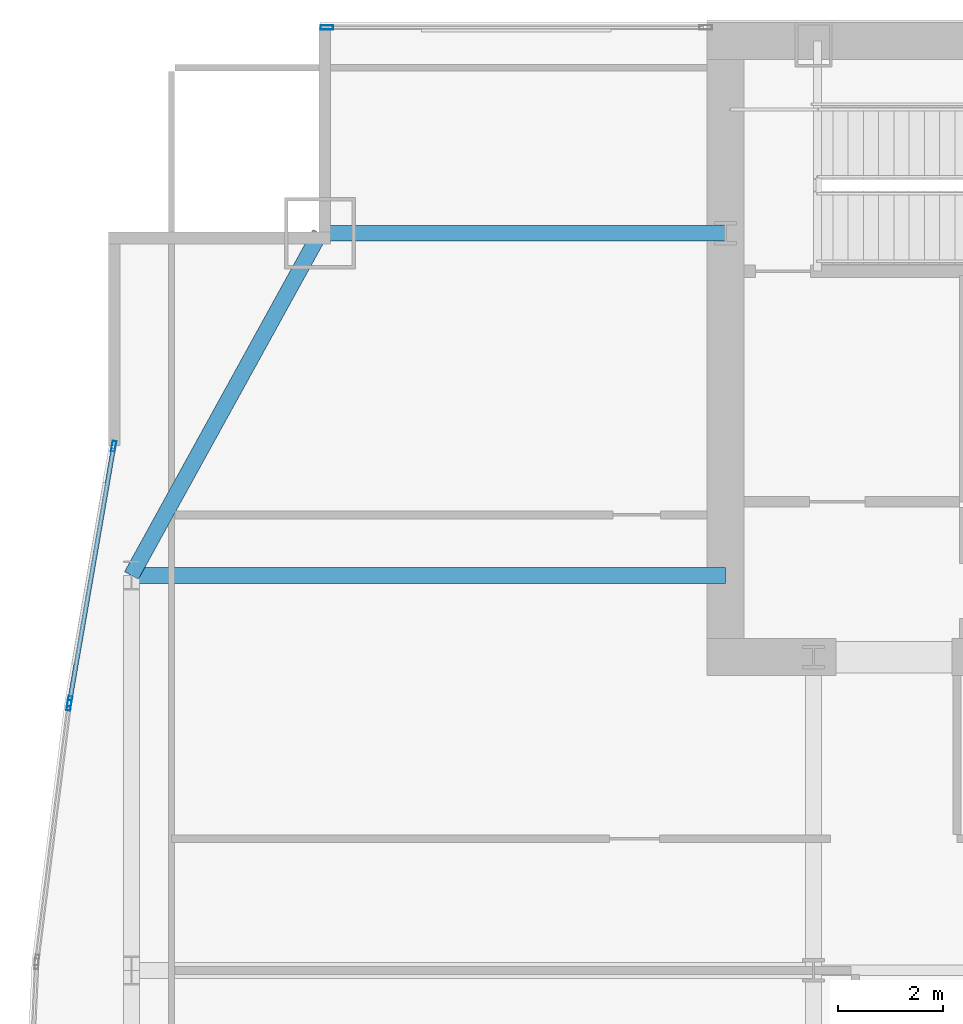
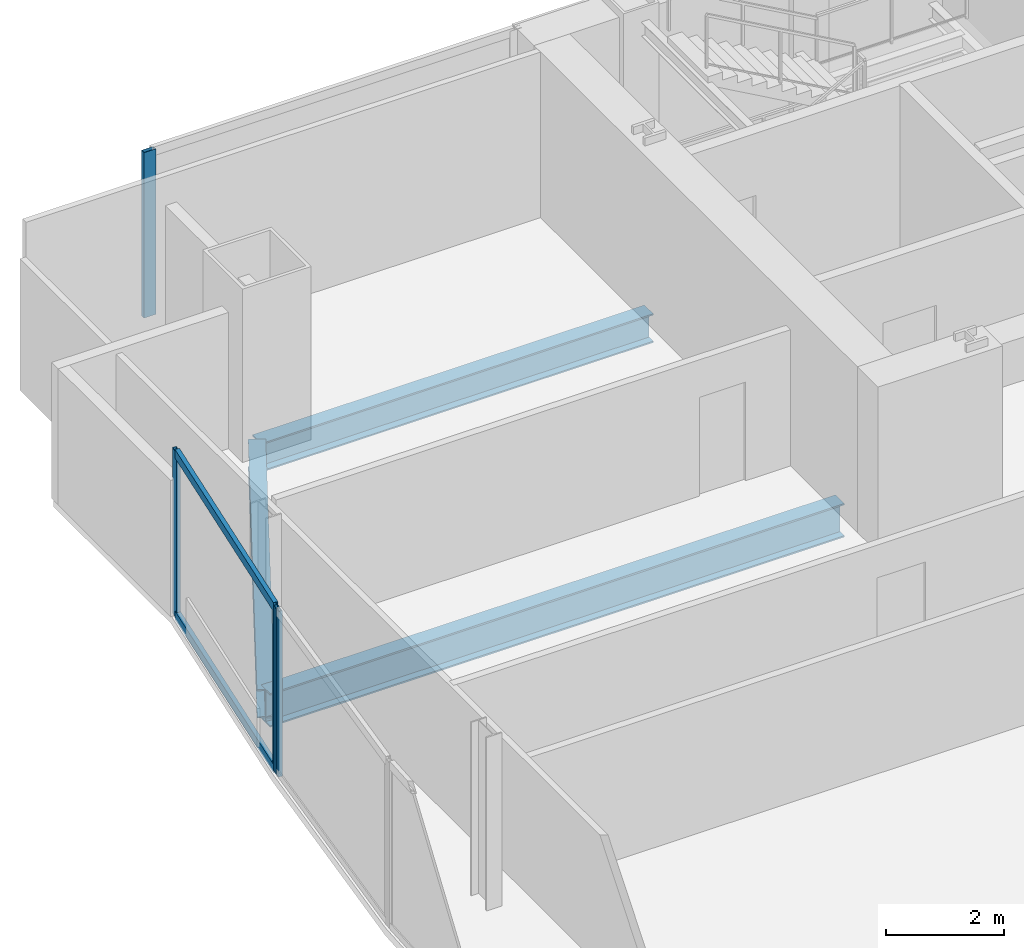
# One storey, part 17 of 29: 6 members, 3 beams, 3 elements without a shape of their own.
"""IFC4 building model written with IfcOpenShell, lengths in metres."""

from ifc_helpers import new_model, si_unit, direction, frame, origin, origin_2d, place, context, subcontext, project, spatial, hollow_rectangle, i_section, extrude, material, material_profile, profile_set, type_object, element, aggregate, save


model = new_model("IFC4")

# Units and contexts
model_context = context("Model", 3, precision=1e-05, world=origin(), true_north=direction((0.0, 1.0)))
body_context = subcontext(model_context, "Body", "Model", "MODEL_VIEW")
ifc_project = project(units=[si_unit("LENGTHUNIT", "METRE"), si_unit("AREAUNIT", "SQUARE_METRE"), si_unit("VOLUMEUNIT", "CUBIC_METRE"), si_unit("PLANEANGLEUNIT", "RADIAN"), si_unit("MASSUNIT", "GRAM", prefix="KILO")], contexts=[model_context])

# Site, building, storey
site_placement = place(None, origin())
site = spatial("IfcSite", under=ifc_project, at=site_placement, CompositionType="ELEMENT")
building_placement = place(site_placement, origin())
building = spatial("IfcBuilding", under=site, at=building_placement, Name="Khoronbel Lancet Exchange", CompositionType="ELEMENT")
storey_placement = place(building_placement, frame((0.0, 0.0, 150.60009765625)))
storey = spatial("IfcBuildingStorey", under=building, at=storey_placement, Name="L37", CompositionType="ELEMENT", Elevation=150.60009765625)

# Beams
ifc_material_1 = material(Name="Steel S355", Category="steel")
ifc_material_profile_1 = material_profile(ifc_material_1, i_section(OverallWidth=0.300048828125, OverallDepth=0.699951171875, WebThickness=0.01708984375, FlangeThickness=0.031982421875, at=origin_2d()), Name="HEB 700")
ifc_profile_set_1 = profile_set([ifc_material_profile_1], Name="Steel S355")
beam_type_1 = type_object("IfcBeamType", Name="BM-BG3", PredefinedType="BEAM", material=ifc_profile_set_1)
beam_1_placement = place(storey_placement, frame((5.27001953125, 43.199951171875, -0.510009765625), z_axis=(1.0, 0.0, 0.0), x_axis=(0.0, 1.0, 0.0)))
element("IfcBeam", 1, at=beam_1_placement, inside=storey, type_object=beam_type_1, Name="Level L37 west lens tie girder LG3W", PredefinedType="BEAM", context=body_context, shape_type="SweptSolid", body=[
    extrude(i_section(OverallWidth=0.300048828125, OverallDepth=0.699951171875, WebThickness=0.01708984375, FlangeThickness=0.031982421875, at=origin_2d()), origin(), (0.0, 0.0, 1.0), 11.280029296875),
])
ifc_material_profile_2 = material_profile(ifc_material_1, i_section(OverallWidth=0.300048828125, OverallDepth=0.60009765625, WebThickness=0.015380859375, FlangeThickness=0.030029296875, at=origin_2d()), Name="HEB 600")
ifc_profile_set_2 = profile_set([ifc_material_profile_2], Name="Steel S355")
beam_type_2 = type_object("IfcBeamType", Name="BM-BSP2", PredefinedType="SPANDREL", material=ifc_profile_set_2)
beam_2_placement = place(storey_placement, frame((8.85009765625, 49.699951171875, -0.460205078125), z_axis=(-0.482444051088, -0.875926787791, 0.0), x_axis=(0.875926787791, -0.482444051088, 0.0)))
element("IfcBeam", 2, at=beam_2_placement, inside=storey, type_object=beam_type_2, Name="Level L37 perimeter spandrel beam SP16", PredefinedType="SPANDREL", context=body_context, shape_type="SweptSolid", body=[
    extrude(i_section(OverallWidth=0.300048828125, OverallDepth=0.60009765625, WebThickness=0.015380859375, FlangeThickness=0.030029296875, at=origin_2d()), origin(), (0.0, 0.0, 1.0), 7.420654296875),
])
beam_3_placement = place(storey_placement, frame((8.85009765625, 49.699951171875, -0.460205078125), z_axis=(1.0, 0.0, 0.0), x_axis=(0.0, 1.0, 0.0)))
element("IfcBeam", 3, at=beam_3_placement, inside=storey, type_object=beam_type_2, Name="Level L37 north flank tie spandrel SP22", PredefinedType="SPANDREL", context=body_context, shape_type="SweptSolid", body=[
    extrude(i_section(OverallWidth=0.300048828125, OverallDepth=0.60009765625, WebThickness=0.015380859375, FlangeThickness=0.030029296875, at=origin_2d()), origin(), (0.0, 0.0, 1.0), 7.699951171875),
])

# Curtain wall, member
ifc_material_2 = material(Name="Low-E Solar Control Insulating Glass", Category="glass")
curtain_wall_type_1 = type_object("IfcCurtainWallType", Name="CW-3", PredefinedType="NOTDEFINED", material=ifc_material_2)
curtain_wall_1_placement = place(storey_placement, origin())
curtain_wall_1 = element("IfcCurtainWall", 4, at=curtain_wall_1_placement, inside=storey, type_object=curtain_wall_type_1, Name="Unitised curtain wall CW-L37-NWFLK", PredefinedType="NOTDEFINED")
ifc_material_3 = material(Name="Bronze-Anodised Aluminium 6063-T6", Category="aluminium")
ifc_material_profile_3 = material_profile(ifc_material_3, hollow_rectangle(XDim=0.0849609375, YDim=0.239990234375, WallThickness=0.006103515625, at=origin_2d()), Name="ALU MULLION 85x240")
ifc_profile_set_3 = profile_set([ifc_material_profile_3], Name="Bronze-Anodised Aluminium 6063-T6")
member_type_1 = type_object("IfcMemberType", Name="MEM-CWM1", PredefinedType="MULLION", material=ifc_profile_set_3)
member_1_placement = place(storey_placement, frame((8.982421875, 53.610107421875, 0.0), z_axis=(0.0, 0.0, 1.0), x_axis=(0.0, -1.0, 0.0)))
member_1 = element("IfcMember", 5, at=member_1_placement, type_object=member_type_1, Name="CW3 mullion 2", PredefinedType="MULLION", context=body_context, shape_type="SweptSolid", body=[
    extrude(hollow_rectangle(XDim=0.0849609375, YDim=0.239990234375, WallThickness=0.006103515625, at=origin_2d()), origin(), (0.0, 0.0, 1.0), 3.43994140625),
])
aggregate(curtain_wall_1, [member_1])

curtain_wall_type_2 = type_object("IfcCurtainWallType", Name="CW-4", PredefinedType="NOTDEFINED", material=ifc_material_2)
curtain_wall_2_placement = place(storey_placement, origin())
curtain_wall_2 = element("IfcCurtainWall", 6, at=curtain_wall_2_placement, inside=storey, type_object=curtain_wall_type_2, Name="Unitised curtain wall CW-L37-E08", PredefinedType="NOTDEFINED")
ifc_material_profile_4 = material_profile(ifc_material_3, hollow_rectangle(XDim=0.074951171875, YDim=0.199951171875, WallThickness=0.0048828125, at=origin_2d()), Name="ALU MULLION 75x200")
ifc_profile_set_4 = profile_set([ifc_material_profile_4], Name="Bronze-Anodised Aluminium 6063-T6")
member_type_2 = type_object("IfcMemberType", Name="MEM-CWM2", PredefinedType="MULLION", material=ifc_profile_set_4)
member_2_placement = place(storey_placement, frame((4.0859375, 40.73291015625, 0.0), z_axis=(0.0, 0.0, 1.0), x_axis=(-0.992117302978, 0.125312637554, 0.0)))
member_2 = element("IfcMember", 7, at=member_2_placement, type_object=member_type_2, Name="CW4 mullion 2", PredefinedType="MULLION", context=body_context, shape_type="SweptSolid", body=[
    extrude(hollow_rectangle(XDim=0.074951171875, YDim=0.199951171875, WallThickness=0.0048828125, at=origin_2d()), origin(), (0.0, 0.0, 1.0), 3.43994140625),
])
aggregate(curtain_wall_2, [member_2])

# Curtain wall, members
curtain_wall_3_placement = place(storey_placement, origin())
curtain_wall_3 = element("IfcCurtainWall", 8, at=curtain_wall_3_placement, inside=storey, type_object=curtain_wall_type_2, Name="Unitised curtain wall CW-L37-E09", PredefinedType="NOTDEFINED")
member_3_placement = place(storey_placement, frame((4.09716796875, 40.806884765625, 0.0), z_axis=(0.0, 0.0, 1.0), x_axis=(-0.985439071124, 0.170028930194, 0.0)))
member_3 = element("IfcMember", 9, at=member_3_placement, type_object=member_type_2, Name="CW4 mullion 1", PredefinedType="MULLION", context=body_context, shape_type="SweptSolid", body=[
    extrude(hollow_rectangle(XDim=0.074951171875, YDim=0.199951171875, WallThickness=0.0048828125, at=origin_2d()), origin(), (0.0, 0.0, 1.0), 3.43994140625),
])
member_4_placement = place(storey_placement, frame((4.93359375, 45.6552734375, 0.0), z_axis=(0.0, 0.0, 1.0), x_axis=(-0.985439071124, 0.170028930194, 0.0)))
member_4 = element("IfcMember", 10, at=member_4_placement, type_object=member_type_2, Name="CW4 mullion 2", PredefinedType="MULLION", context=body_context, shape_type="SweptSolid", body=[
    extrude(hollow_rectangle(XDim=0.074951171875, YDim=0.199951171875, WallThickness=0.0048828125, at=origin_2d()), origin(), (0.0, 0.0, 1.0), 3.43994140625),
])
ifc_material_profile_5 = material_profile(ifc_material_3, hollow_rectangle(XDim=0.0849609375, YDim=0.179931640625, WallThickness=0.0048828125, at=origin_2d()), Name="ALU TRANSOM 85x180")
ifc_profile_set_5 = profile_set([ifc_material_profile_5], Name="Bronze-Anodised Aluminium 6063-T6")
member_type_3 = type_object("IfcMemberType", Name="MEM-CWT1", PredefinedType="USERDEFINED", material=ifc_profile_set_5)
member_5_placement = place(storey_placement, frame((4.103515625, 40.843994140625, 0.04248046875), z_axis=(0.170018287059, 0.985440907445, 0.0), x_axis=(-0.985440907445, 0.170018287059, 0.0)))
member_5 = element("IfcMember", 11, at=member_5_placement, type_object=member_type_3, Name="CW4 transom 1.1", ObjectType="TRANSOM", PredefinedType="USERDEFINED", context=body_context, shape_type="SweptSolid", body=[
    extrude(hollow_rectangle(XDim=0.0849609375, YDim=0.179931640625, WallThickness=0.0048828125, at=origin_2d()), origin(), (0.0, 0.0, 1.0), 4.844970703125),
])
member_6_placement = place(storey_placement, frame((4.103515625, 40.843994140625, 3.3974609375), z_axis=(0.170018287059, 0.985440907445, 0.0), x_axis=(-0.985440907445, 0.170018287059, 0.0)))
member_6 = element("IfcMember", 12, at=member_6_placement, type_object=member_type_3, Name="CW4 transom 1.2", ObjectType="TRANSOM", PredefinedType="USERDEFINED", context=body_context, shape_type="SweptSolid", body=[
    extrude(hollow_rectangle(XDim=0.0849609375, YDim=0.179931640625, WallThickness=0.0048828125, at=origin_2d()), origin(), (0.0, 0.0, 1.0), 4.844970703125),
])
aggregate(curtain_wall_3, [member_3, member_4, member_5, member_6])

save(model, "model.ifc")
